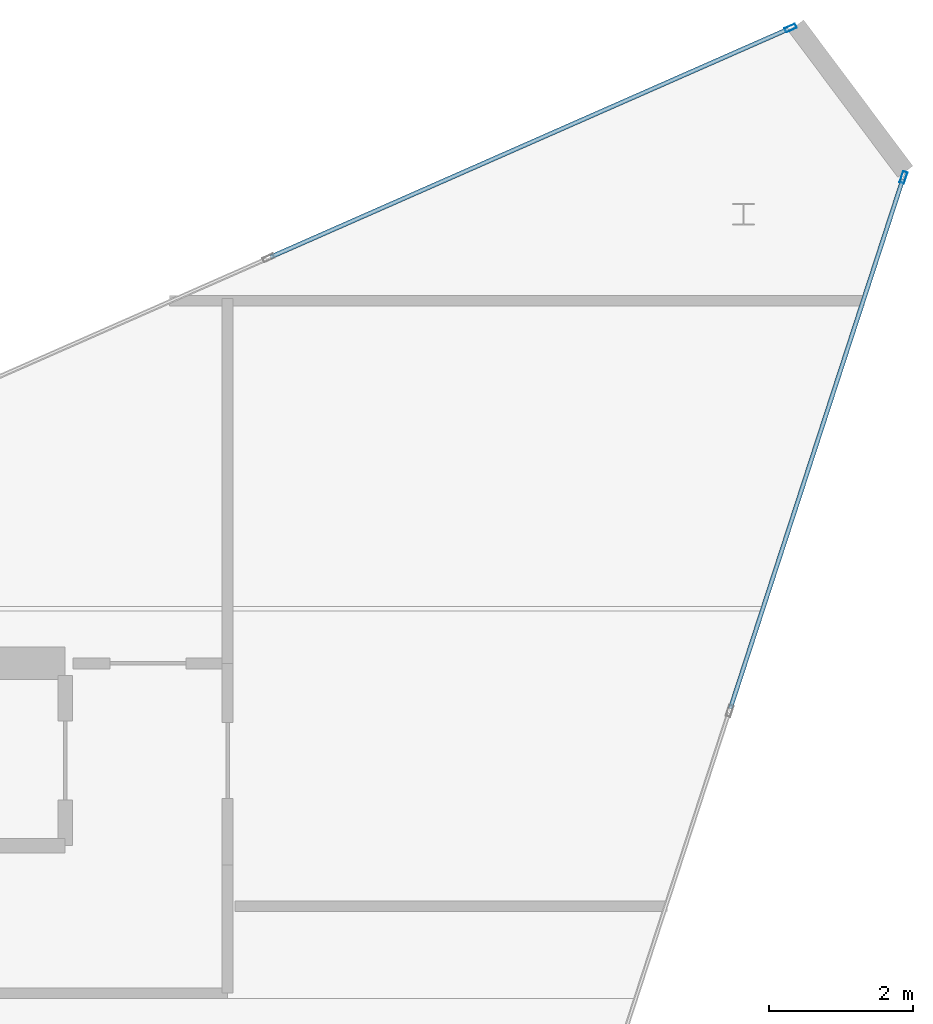
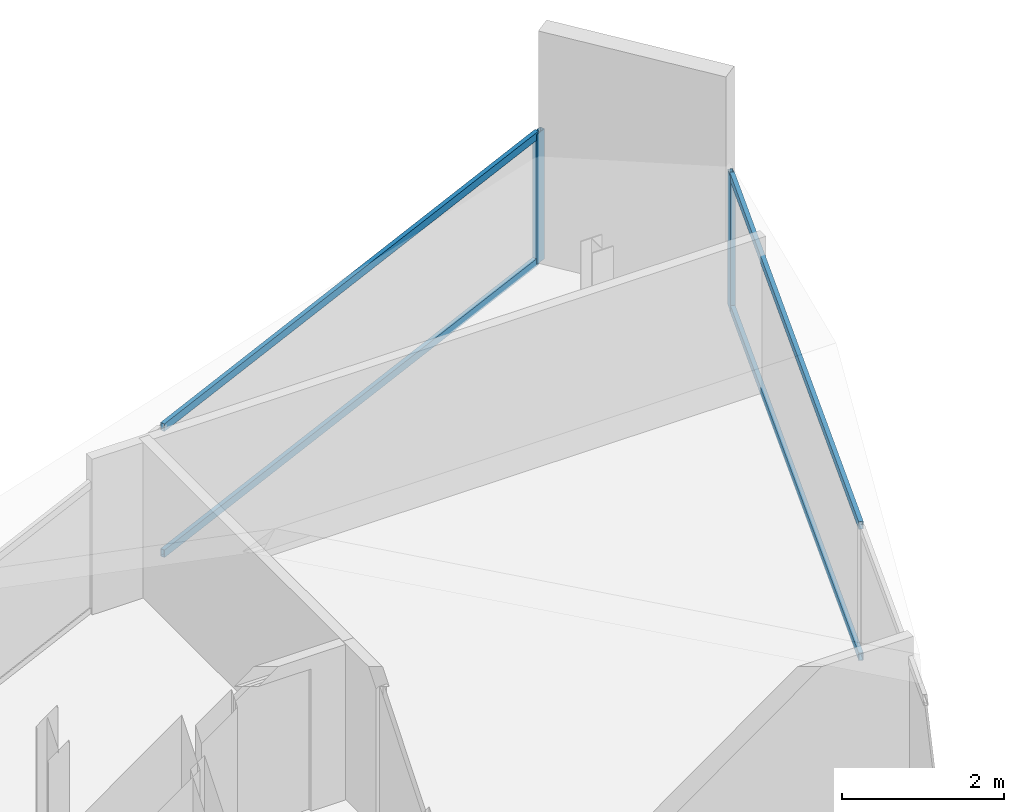
# One storey, part 11 of 13: 6 members, 2 elements without a shape of their own.
"""IFC4 building model written with IfcOpenShell, lengths in metres."""

from ifc_helpers import new_model, si_unit, direction, frame, origin, origin_2d, place, context, subcontext, project, spatial, hollow_rectangle, extrude, material, layer, layer_set, material_profile, profile_set, type_object, element, aggregate, save


model = new_model("IFC4")

# Units and contexts
model_context = context("Model", 3, precision=1e-05, world=origin(), true_north=direction((0.0, 1.0)))
body_context = subcontext(model_context, "Body", "Model", "MODEL_VIEW")
ifc_project = project(units=[si_unit("LENGTHUNIT", "METRE"), si_unit("AREAUNIT", "SQUARE_METRE"), si_unit("VOLUMEUNIT", "CUBIC_METRE"), si_unit("PLANEANGLEUNIT", "RADIAN"), si_unit("MASSUNIT", "GRAM", prefix="KILO")], contexts=[model_context])

# Site, building, storey
site_placement = place(None, origin())
site = spatial("IfcSite", under=ifc_project, at=site_placement, CompositionType="ELEMENT")
building_placement = place(site_placement, origin())
building = spatial("IfcBuilding", under=site, at=building_placement, Name="Qianvela Tower", CompositionType="ELEMENT")
storey_placement = place(building_placement, frame((0.0, 0.0, 375.050048828125)))
storey = spatial("IfcBuildingStorey", under=building, at=storey_placement, Name="L97", CompositionType="ELEMENT", Elevation=375.050048828125)

# Curtain wall, member
ifc_material_1 = material(Name="Anodised Architectural Aluminium and Low-E Glass", Category="aluminium")
ifc_layer = layer(ifc_material_1, 0.159912109375)
ifc_layer_set = layer_set([ifc_layer], Name="Anodised Architectural Aluminium and Low-E Glass")
curtain_wall_type = type_object("IfcCurtainWallType", Name="CW-CROWN", PredefinedType="USERDEFINED", material=ifc_layer_set)
curtain_wall_1_placement = place(storey_placement, origin())
curtain_wall_1 = element("IfcCurtainWall", 1, at=curtain_wall_1_placement, inside=storey, type_object=curtain_wall_type, Name="L97 CW-CROWN Curtain Wall 02", ObjectType="CURTAIN_WALL_SYSTEM", PredefinedType="USERDEFINED")
ifc_material_2 = material(Name="Anodised Architectural Aluminium 6063-T6", Category="aluminium")
ifc_material_profile_1 = material_profile(ifc_material_2, hollow_rectangle(XDim=0.06494140625, YDim=0.159912109375, WallThickness=0.0048828125, at=origin_2d()), Name="ALU-MULL-65x160")
ifc_profile_set_1 = profile_set([ifc_material_profile_1], Name="Anodised Architectural Aluminium 6063-T6")
member_type_1 = type_object("IfcMemberType", Name="CW-CROWN-MULL", PredefinedType="MULLION", material=ifc_profile_set_1)
member_1_placement = place(storey_placement, frame((49.90234375, 41.448974609375, 0.0), z_axis=(0.0, 0.0, 1.0), x_axis=(0.402976602581, -0.915210280631, 0.0)))
member_1 = element("IfcMember", 2, at=member_1_placement, type_object=member_type_1, Name="CW-8 mullion 1", PredefinedType="MULLION", context=body_context, shape_type="SweptSolid", body=[
    extrude(hollow_rectangle(XDim=0.06494140625, YDim=0.159912109375, WallThickness=0.0048828125, at=origin_2d()), origin(), (0.0, 0.0, 1.0), 1.96630859375),
])

curtain_wall_2_placement = place(storey_placement, origin())
curtain_wall_2 = element("IfcCurtainWall", 3, at=curtain_wall_2_placement, inside=storey, type_object=curtain_wall_type, Name="L97 CW-CROWN Curtain Wall 06", ObjectType="CURTAIN_WALL_SYSTEM", PredefinedType="USERDEFINED")
member_2_placement = place(storey_placement, frame((51.4658203125, 39.380615234375, 0.0), z_axis=(0.0, 0.0, 1.0), x_axis=(-0.950786737513, 0.30984605818, 0.0)))
member_2 = element("IfcMember", 4, at=member_2_placement, type_object=member_type_1, Name="CW-8 mullion 5", PredefinedType="MULLION", context=body_context, shape_type="SweptSolid", body=[
    extrude(hollow_rectangle(XDim=0.06494140625, YDim=0.159912109375, WallThickness=0.0048828125, at=origin_2d()), origin(), (0.0, 0.0, 1.0), 2.043701171875),
])

# Member
ifc_material_3 = material(Name="Anodised Architectural Aluminium 6063-T6", Category="aluminium")
ifc_material_profile_2 = material_profile(ifc_material_3, hollow_rectangle(XDim=0.06005859375, YDim=0.114990234375, WallThickness=0.00390625, at=origin_2d()), Name="ALU-TRAN-60x115")
ifc_profile_set_2 = profile_set([ifc_material_profile_2], Name="Anodised Architectural Aluminium 6063-T6")
member_type_2 = type_object("IfcMemberType", Name="CW-CROWN-TRAN", PredefinedType="USERDEFINED", material=ifc_profile_set_2)
member_3_placement = place(storey_placement, frame((49.87255859375, 41.435791015625, 0.030029296875), z_axis=(-0.915212151392, -0.402972353821, 0.0), x_axis=(0.402972353821, -0.915212151392, 0.0)))
member_3 = element("IfcMember", 5, at=member_3_placement, type_object=member_type_2, Name="CW-8 transom 1.1", ObjectType="TRANSOM", PredefinedType="USERDEFINED", context=body_context, shape_type="SweptSolid", body=[
    extrude(hollow_rectangle(XDim=0.06005859375, YDim=0.114990234375, WallThickness=0.00390625, at=origin_2d()), origin(), (0.0, 0.0, 1.0), 7.84033203125),
])

member_4_placement = place(storey_placement, frame((49.87255859375, 41.435791015625, 1.936279296875), z_axis=(-0.915212151392, -0.402972353821, 0.0), x_axis=(0.402972353821, -0.915212151392, 0.0)))
member_4 = element("IfcMember", 6, at=member_4_placement, type_object=member_type_2, Name="CW-8 transom 1.2", ObjectType="TRANSOM", PredefinedType="USERDEFINED", context=body_context, shape_type="SweptSolid", body=[
    extrude(hollow_rectangle(XDim=0.06005859375, YDim=0.114990234375, WallThickness=0.00390625, at=origin_2d()), origin(), (0.0, 0.0, 1.0), 7.84033203125),
])

aggregate(curtain_wall_1, [member_1, member_3, member_4])

member_5_placement = place(storey_placement, frame((49.06689453125, 32.01904296875, 0.030029296875), z_axis=(0.309837045508, 0.95078967455, 0.0), x_axis=(-0.95078967455, 0.309837045508, 0.0)))
member_5 = element("IfcMember", 7, at=member_5_placement, type_object=member_type_2, Name="CW-8 transom 4.1", ObjectType="TRANSOM", PredefinedType="USERDEFINED", context=body_context, shape_type="SweptSolid", body=[
    extrude(hollow_rectangle(XDim=0.06005859375, YDim=0.114990234375, WallThickness=0.00390625, at=origin_2d()), origin(), (0.0, 0.0, 1.0), 7.710205078125),
])

member_6_placement = place(storey_placement, frame((49.06689453125, 32.01904296875, 2.013671875), z_axis=(0.309837045508, 0.95078967455, 0.0), x_axis=(-0.95078967455, 0.309837045508, 0.0)))
member_6 = element("IfcMember", 8, at=member_6_placement, type_object=member_type_2, Name="CW-8 transom 4.2", ObjectType="TRANSOM", PredefinedType="USERDEFINED", context=body_context, shape_type="SweptSolid", body=[
    extrude(hollow_rectangle(XDim=0.06005859375, YDim=0.114990234375, WallThickness=0.00390625, at=origin_2d()), origin(), (0.0, 0.0, 1.0), 7.710205078125),
])

aggregate(curtain_wall_2, [member_2, member_5, member_6])

save(model, "model.ifc")
